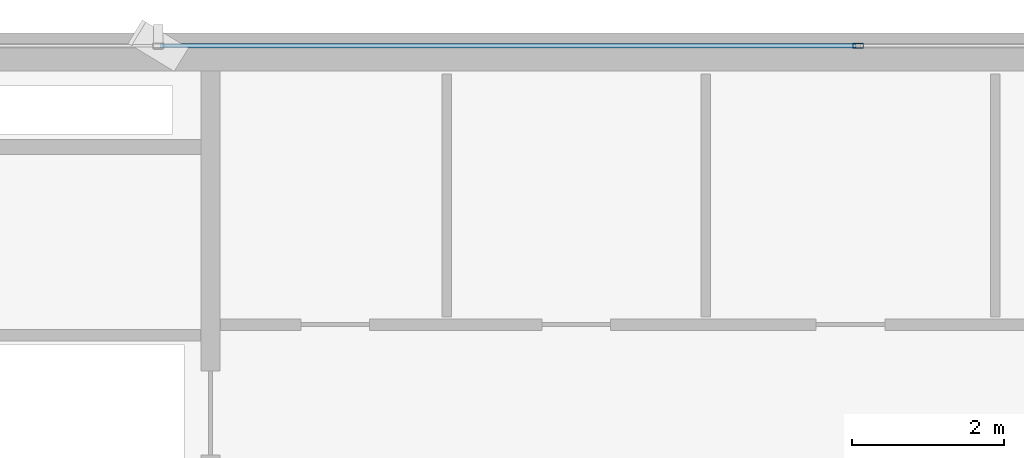
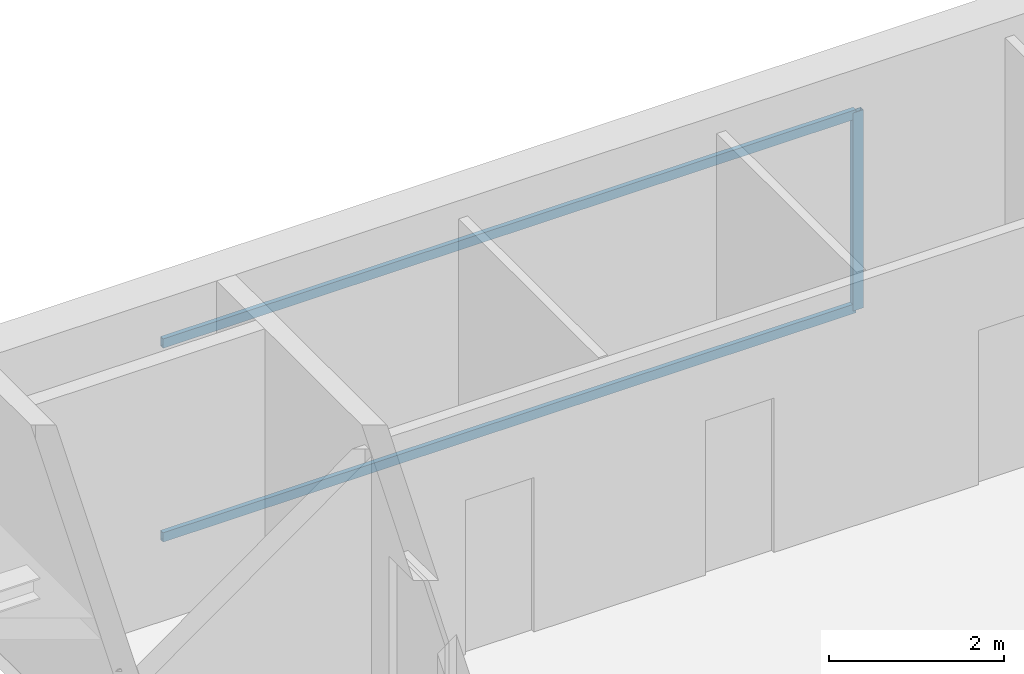
# One storey, part 20 of 29: 3 members, 1 element without a shape of its own.
"""IFC4 building model written with IfcOpenShell, lengths in metres."""

from ifc_helpers import new_model, si_unit, direction, frame, origin, origin_2d, place, context, subcontext, project, spatial, hollow_rectangle, extrude, source, transform, mapped, material, layer, layer_set, material_profile, profile_set, type_object, element, aggregate, save


model = new_model("IFC4")

# Units and contexts
model_context = context("Model", 3, precision=1e-05, world=origin(), true_north=direction((0.0, 1.0)))
body_context = subcontext(model_context, "Body", "Model", "MODEL_VIEW")
ifc_project = project(units=[si_unit("LENGTHUNIT", "METRE"), si_unit("AREAUNIT", "SQUARE_METRE"), si_unit("VOLUMEUNIT", "CUBIC_METRE"), si_unit("PLANEANGLEUNIT", "RADIAN"), si_unit("MASSUNIT", "GRAM", prefix="KILO")], contexts=[model_context])

# Site, building, storey
site_placement = place(None, origin())
site = spatial("IfcSite", under=ifc_project, at=site_placement, CompositionType="ELEMENT")
building_placement = place(site_placement, origin())
building = spatial("IfcBuilding", under=site, at=building_placement, Name="Sumidabori Civic Tower", CompositionType="ELEMENT")
storey_placement = place(building_placement, frame((0.0, 0.0, 214.39990234375)))
storey = spatial("IfcBuildingStorey", under=building, at=storey_placement, Name="L55", CompositionType="ELEMENT", Elevation=214.39990234375)

# Curtain wall, members
ifc_material = material(Name="Anodised Bronze Aluminium AW-6063-T6", Category="aluminium")
ifc_layer = layer(ifc_material, 0.179931640625, Name="Anodised Bronze Aluminium AW-6063-T6")
ifc_layer_set = layer_set([ifc_layer], Name="Anodised Bronze Aluminium AW-6063-T6")
curtain_wall_type = type_object("IfcCurtainWallType", Name="CW-SYS-5", PredefinedType="NOTDEFINED", material=ifc_layer_set)
curtain_wall_placement = place(storey_placement, origin())
curtain_wall = element("IfcCurtainWall", 1, at=curtain_wall_placement, inside=storey, type_object=curtain_wall_type, Name="Curtain Wall CW:L55:R13", PredefinedType="NOTDEFINED")
ifc_material_profile_1 = material_profile(ifc_material, hollow_rectangle(XDim=0.06005859375, YDim=0.139892578125, WallThickness=0.0048828125, at=origin_2d()), Name="ALU MULLION 140x60")
ifc_profile_set_1 = profile_set([ifc_material_profile_1], Name="Anodised Bronze Aluminium AW-6063-T6")
member_type_1 = type_object("IfcMemberType", Name="CW-MUL-140", PredefinedType="MULLION", material=ifc_profile_set_1)
shared_shape_1 = source(origin(), body_context, "Body", "SweptSolid", [
    extrude(hollow_rectangle(XDim=0.06005859375, YDim=0.139892578125, WallThickness=0.0048828125, at=origin_2d()), origin(), (0.0, 0.0, 1.0), 2.760009765625),
])
member_1_placement = place(storey_placement, frame((0.0, 23.8798828125, 0.0), z_axis=(0.0, 0.0, 1.0), x_axis=(0.0, -1.0, 0.0)))
member_1 = element("IfcMember", 2, at=member_1_placement, type_object=member_type_1, Name="CW-5 mullion 3", PredefinedType="MULLION", context=body_context, shape_type="MappedRepresentation", body=[
    mapped(shared_shape_1, transform((0.0, 0.0, 0.0), x_axis=(1.0, 0.0, 0.0), y_axis=(0.0, 1.0, 0.0), z_axis=(0.0, 0.0, 1.0), scale=1.0)),
])
ifc_material_profile_2 = material_profile(ifc_material, hollow_rectangle(XDim=0.06005859375, YDim=0.1298828125, WallThickness=0.0048828125, at=origin_2d()), Name="ALU TRANSOM 130x60")
ifc_profile_set_2 = profile_set([ifc_material_profile_2], Name="Anodised Bronze Aluminium AW-6063-T6")
member_type_2 = type_object("IfcMemberType", Name="CW-TRN-130", PredefinedType="USERDEFINED", material=ifc_profile_set_2)
shared_shape_2 = source(origin(), body_context, "Body", "SweptSolid", [
    extrude(hollow_rectangle(XDim=0.06005859375, YDim=0.1298828125, WallThickness=0.0048828125, at=origin_2d()), origin(), (0.0, 0.0, 1.0), 9.125),
])
member_2_placement = place(storey_placement, frame((-0.030029296875, 23.8798828125, 0.030029296875), z_axis=(-1.0, 0.0, 0.0), x_axis=(0.0, -1.0, 0.0)))
member_2 = element("IfcMember", 3, at=member_2_placement, type_object=member_type_2, Name="CW-5 transom 3.1", ObjectType="TRANSOM", PredefinedType="USERDEFINED", context=body_context, shape_type="MappedRepresentation", body=[
    mapped(shared_shape_2, transform((0.0, 0.0, 0.0), x_axis=(1.0, 0.0, 0.0), y_axis=(0.0, 1.0, 0.0), z_axis=(0.0, 0.0, 1.0), scale=1.0)),
])
member_3_placement = place(storey_placement, frame((-0.030029296875, 23.8798828125, 2.72998046875), z_axis=(-1.0, 0.0, 0.0), x_axis=(0.0, -1.0, 0.0)))
member_3 = element("IfcMember", 4, at=member_3_placement, type_object=member_type_2, Name="CW-5 transom 3.2", ObjectType="TRANSOM", PredefinedType="USERDEFINED", context=body_context, shape_type="MappedRepresentation", body=[
    mapped(shared_shape_2, transform((0.0, 0.0, 0.0), x_axis=(1.0, 0.0, 0.0), y_axis=(0.0, 1.0, 0.0), z_axis=(0.0, 0.0, 1.0), scale=1.0)),
])
aggregate(curtain_wall, [member_1, member_2, member_3])

save(model, "model.ifc")
